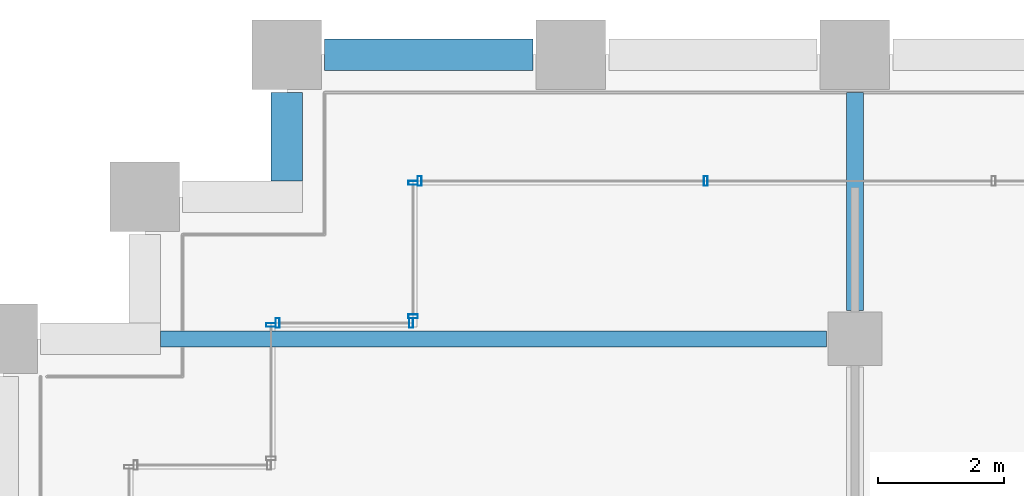
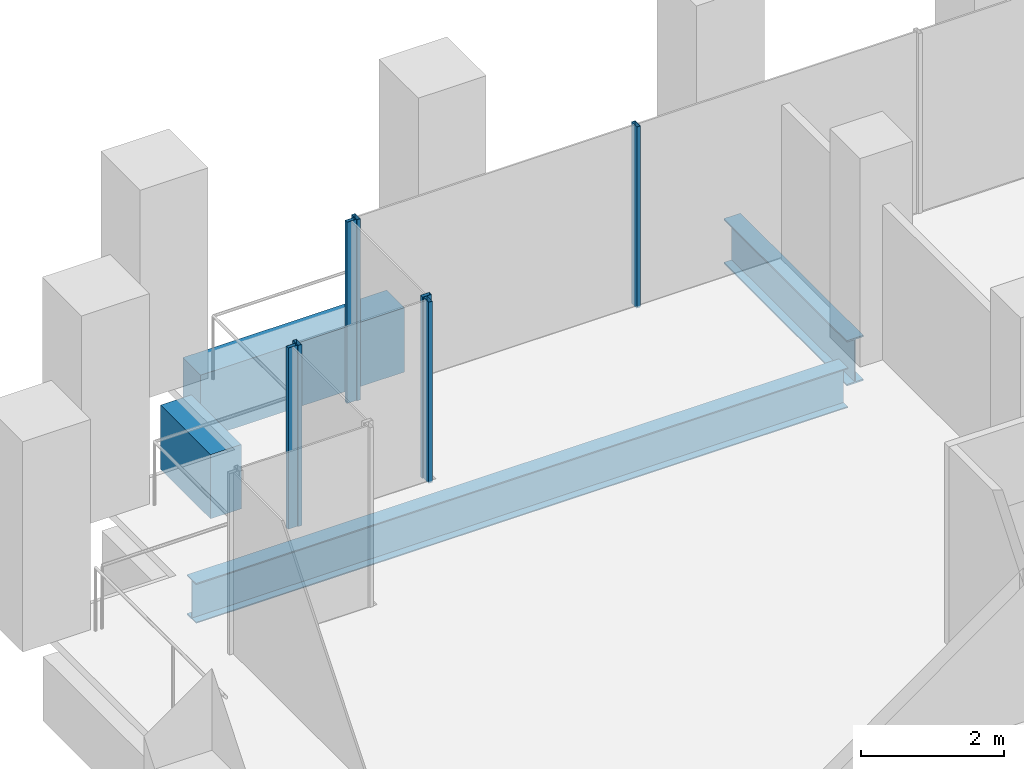
# One storey, part 26 of 55: 7 members, 4 beams, 4 elements without a shape of their own.
"""IFC4 building model written with IfcOpenShell, lengths in metres."""

from ifc_helpers import new_model, si_unit, direction, frame, origin, origin_2d, place, context, subcontext, project, spatial, rectangle, hollow_rectangle, i_section, extrude, material, material_profile, profile_set, type_object, element, aggregate, save


model = new_model("IFC4")

# Units and contexts
model_context = context("Model", 3, precision=1e-05, world=origin(), true_north=direction((0.0, 1.0)))
body_context = subcontext(model_context, "Body", "Model", "MODEL_VIEW")
ifc_project = project(units=[si_unit("LENGTHUNIT", "METRE"), si_unit("AREAUNIT", "SQUARE_METRE"), si_unit("VOLUMEUNIT", "CUBIC_METRE"), si_unit("PLANEANGLEUNIT", "RADIAN"), si_unit("MASSUNIT", "GRAM", prefix="KILO")], contexts=[model_context])

# Site, building, storey
site_placement = place(None, origin())
site = spatial("IfcSite", under=ifc_project, at=site_placement, CompositionType="ELEMENT")
building_placement = place(site_placement, origin())
building = spatial("IfcBuilding", under=site, at=building_placement, Name="Altepetl Exchange Towers", CompositionType="ELEMENT")
storey_placement = place(building_placement, frame((0.0, 0.0, 47.39990234375)))
storey = spatial("IfcBuildingStorey", under=building, at=storey_placement, Name="L10", CompositionType="ELEMENT", Elevation=47.39990234375)

# Beams
ifc_material_1 = material(Name="Steel S355", Category="steel")
ifc_material_profile_1 = material_profile(ifc_material_1, i_section(OverallWidth=0.25390625, OverallDepth=0.68408203125, WebThickness=0.012451171875, FlangeThickness=0.018798828125, at=origin_2d()), Name="W27X94")
ifc_profile_set_1 = profile_set([ifc_material_profile_1], Name="Steel S355")
beam_type_1 = type_object("IfcBeamType", Name="Floor beam W27X94", PredefinedType="BEAM", material=ifc_profile_set_1)
beam_1_placement = place(storey_placement, frame((29.5, 67.5, -0.491943359375), z_axis=(1.0, 0.0, 0.0), x_axis=(0.0, 1.0, 0.0)))
element("IfcBeam", 1, at=beam_1_placement, inside=storey, type_object=beam_type_1, Name="bm:A:L10:023", PredefinedType="BEAM", context=body_context, shape_type="SweptSolid", body=[
    extrude(i_section(OverallWidth=0.25390625, OverallDepth=0.68408203125, WebThickness=0.012451171875, FlangeThickness=0.018798828125, at=origin_2d()), origin(), (0.0, 0.0, 1.0), 10.550048828125),
])
ifc_material_profile_2 = material_profile(ifc_material_1, i_section(OverallWidth=0.26806640625, OverallDepth=0.77392578125, WebThickness=0.015380859375, FlangeThickness=0.025390625, at=origin_2d()), Name="W30X132")
ifc_profile_set_2 = profile_set([ifc_material_profile_2], Name="Steel S355")
beam_type_2 = type_object("IfcBeamType", Name="Girder W30X132", PredefinedType="BEAM", material=ifc_profile_set_2)
beam_2_placement = place(storey_placement, frame((40.5, 71.39990234375, -0.536865234375), z_axis=(0.0, -1.0, 0.0), x_axis=(1.0, 0.0, 0.0)))
element("IfcBeam", 2, at=beam_2_placement, inside=storey, type_object=beam_type_2, Name="gd:A:L10:003", PredefinedType="BEAM", context=body_context, shape_type="SweptSolid", body=[
    extrude(i_section(OverallWidth=0.26806640625, OverallDepth=0.77392578125, WebThickness=0.015380859375, FlangeThickness=0.025390625, at=origin_2d()), origin(), (0.0, 0.0, 1.0), 3.449951171875),
])

# Curtain wall, members
ifc_material_2 = material(Name="Aluminium 6063-T6 glazing", Category="aluminium")
curtain_wall_type = type_object("IfcCurtainWallType", Name="Loggia glazing system", PredefinedType="NOTDEFINED", material=ifc_material_2)
curtain_wall_1_placement = place(storey_placement, origin())
curtain_wall_1 = element("IfcCurtainWall", 3, at=curtain_wall_1_placement, inside=storey, type_object=curtain_wall_type, Name="CW1 run", PredefinedType="NOTDEFINED")
ifc_material_3 = material(Name="Aluminium 6063-T6", Category="aluminium")
ifc_material_profile_3 = material_profile(ifc_material_3, hollow_rectangle(XDim=0.06005859375, YDim=0.14990234375, WallThickness=0.0029296875, at=origin_2d()), Name="Mullion 60x150 aluminium")
ifc_profile_set_3 = profile_set([ifc_material_profile_3], Name="Aluminium 6063-T6")
member_type = type_object("IfcMemberType", Name="Mullion 60x150 aluminium", PredefinedType="MULLION", material=ifc_profile_set_3)
member_1_placement = place(storey_placement, frame((38.1357421875, 70.0, 0.0), z_axis=(0.0, 0.0, 1.0), x_axis=(-1.0, 0.0, 0.0)))
member_1 = element("IfcMember", 4, at=member_1_placement, type_object=member_type, Name="MU1 mullion", PredefinedType="MULLION", context=body_context, shape_type="SweptSolid", body=[
    extrude(hollow_rectangle(XDim=0.06005859375, YDim=0.14990234375, WallThickness=0.0029296875, at=origin_2d()), origin(), (0.0, 0.0, 1.0), 3.10009765625),
])
member_2_placement = place(storey_placement, frame((33.60498046875, 70.0, 0.0), z_axis=(0.0, 0.0, 1.0), x_axis=(-1.0, 0.0, 0.0)))
member_2 = element("IfcMember", 5, at=member_2_placement, type_object=member_type, Name="MU1 mullion", PredefinedType="MULLION", context=body_context, shape_type="SweptSolid", body=[
    extrude(hollow_rectangle(XDim=0.06005859375, YDim=0.14990234375, WallThickness=0.0029296875, at=origin_2d()), origin(), (0.0, 0.0, 1.0), 3.10009765625),
])
aggregate(curtain_wall_1, [member_1, member_2])

curtain_wall_2_placement = place(storey_placement, origin())
curtain_wall_2 = element("IfcCurtainWall", 6, at=curtain_wall_2_placement, inside=storey, type_object=curtain_wall_type, Name="CW1 run", PredefinedType="NOTDEFINED")
member_3_placement = place(storey_placement, frame((33.5, 69.969970703125, 0.0), z_axis=(0.0, 0.0, 1.0), x_axis=(0.0, -1.0, 0.0)))
member_3 = element("IfcMember", 7, at=member_3_placement, type_object=member_type, Name="MU1 mullion", PredefinedType="MULLION", context=body_context, shape_type="SweptSolid", body=[
    extrude(hollow_rectangle(XDim=0.06005859375, YDim=0.14990234375, WallThickness=0.0029296875, at=origin_2d()), origin(), (0.0, 0.0, 1.0), 3.10009765625),
])
member_4_placement = place(storey_placement, frame((33.5, 67.85498046875, 0.0), z_axis=(0.0, 0.0, 1.0), x_axis=(0.0, -1.0, 0.0)))
member_4 = element("IfcMember", 8, at=member_4_placement, type_object=member_type, Name="MU1 mullion", PredefinedType="MULLION", context=body_context, shape_type="SweptSolid", body=[
    extrude(hollow_rectangle(XDim=0.06005859375, YDim=0.14990234375, WallThickness=0.0029296875, at=origin_2d()), origin(), (0.0, 0.0, 1.0), 3.10009765625),
])
aggregate(curtain_wall_2, [member_3, member_4])

curtain_wall_3_placement = place(storey_placement, origin())
curtain_wall_3 = element("IfcCurtainWall", 9, at=curtain_wall_3_placement, inside=storey, type_object=curtain_wall_type, Name="CW1 run", PredefinedType="NOTDEFINED")
member_5_placement = place(storey_placement, frame((33.469970703125, 67.75, 0.0), z_axis=(0.0, 0.0, 1.0), x_axis=(-1.0, 0.0, 0.0)))
member_5 = element("IfcMember", 10, at=member_5_placement, type_object=member_type, Name="MU1 mullion", PredefinedType="MULLION", context=body_context, shape_type="SweptSolid", body=[
    extrude(hollow_rectangle(XDim=0.06005859375, YDim=0.14990234375, WallThickness=0.0029296875, at=origin_2d()), origin(), (0.0, 0.0, 1.0), 3.10009765625),
])
member_6_placement = place(storey_placement, frame((31.35498046875, 67.75, 0.0), z_axis=(0.0, 0.0, 1.0), x_axis=(-1.0, 0.0, 0.0)))
member_6 = element("IfcMember", 11, at=member_6_placement, type_object=member_type, Name="MU1 mullion", PredefinedType="MULLION", context=body_context, shape_type="SweptSolid", body=[
    extrude(hollow_rectangle(XDim=0.06005859375, YDim=0.14990234375, WallThickness=0.0029296875, at=origin_2d()), origin(), (0.0, 0.0, 1.0), 3.10009765625),
])
aggregate(curtain_wall_3, [member_5, member_6])

# Curtain wall, member
curtain_wall_4_placement = place(storey_placement, origin())
curtain_wall_4 = element("IfcCurtainWall", 12, at=curtain_wall_4_placement, inside=storey, type_object=curtain_wall_type, Name="CW1 run", PredefinedType="NOTDEFINED")
member_7_placement = place(storey_placement, frame((31.25, 67.719970703125, 0.0), z_axis=(0.0, 0.0, 1.0), x_axis=(0.0, -1.0, 0.0)))
member_7 = element("IfcMember", 13, at=member_7_placement, type_object=member_type, Name="MU1 mullion", PredefinedType="MULLION", context=body_context, shape_type="SweptSolid", body=[
    extrude(hollow_rectangle(XDim=0.06005859375, YDim=0.14990234375, WallThickness=0.0029296875, at=origin_2d()), origin(), (0.0, 0.0, 1.0), 3.10009765625),
])
aggregate(curtain_wall_4, [member_7])

# Beams
ifc_material_4 = material(Name="Concrete C50/60 precast with tezontle facing", Category="concrete")
ifc_material_profile_4 = material_profile(ifc_material_4, rectangle(XDim=0.5, YDim=1.10009765625, at=origin_2d()), Name="500 x 1100")
ifc_profile_set_4 = profile_set([ifc_material_profile_4], Name="Concrete C50/60 precast with tezontle facing")
beam_type_3 = type_object("IfcBeamType", Name="Spandrel beam 500x1100 tezontle", PredefinedType="SPANDREL", material=ifc_profile_set_4)
beam_3_placement = place(storey_placement, frame((35.39990234375, 72.0, -0.699951171875), z_axis=(-1.0, 0.0, 0.0), x_axis=(0.0, -1.0, 0.0)))
element("IfcBeam", 14, at=beam_3_placement, inside=storey, type_object=beam_type_3, Name="sp:A:L10:031", PredefinedType="SPANDREL", context=body_context, shape_type="SweptSolid", body=[
    extrude(rectangle(XDim=0.5, YDim=1.10009765625, at=origin_2d()), origin(), (0.0, 0.0, 1.0), 3.2998046875),
])
beam_4_placement = place(storey_placement, frame((31.5, 71.39990234375, -0.699951171875), z_axis=(0.0, -1.0, 0.0), x_axis=(1.0, 0.0, 0.0)))
element("IfcBeam", 15, at=beam_4_placement, inside=storey, type_object=beam_type_3, Name="sp:A:L10:032", PredefinedType="SPANDREL", context=body_context, shape_type="SweptSolid", body=[
    extrude(rectangle(XDim=0.5, YDim=1.10009765625, at=origin_2d()), origin(), (0.0, 0.0, 1.0), 1.39990234375),
])

save(model, "model.ifc")
